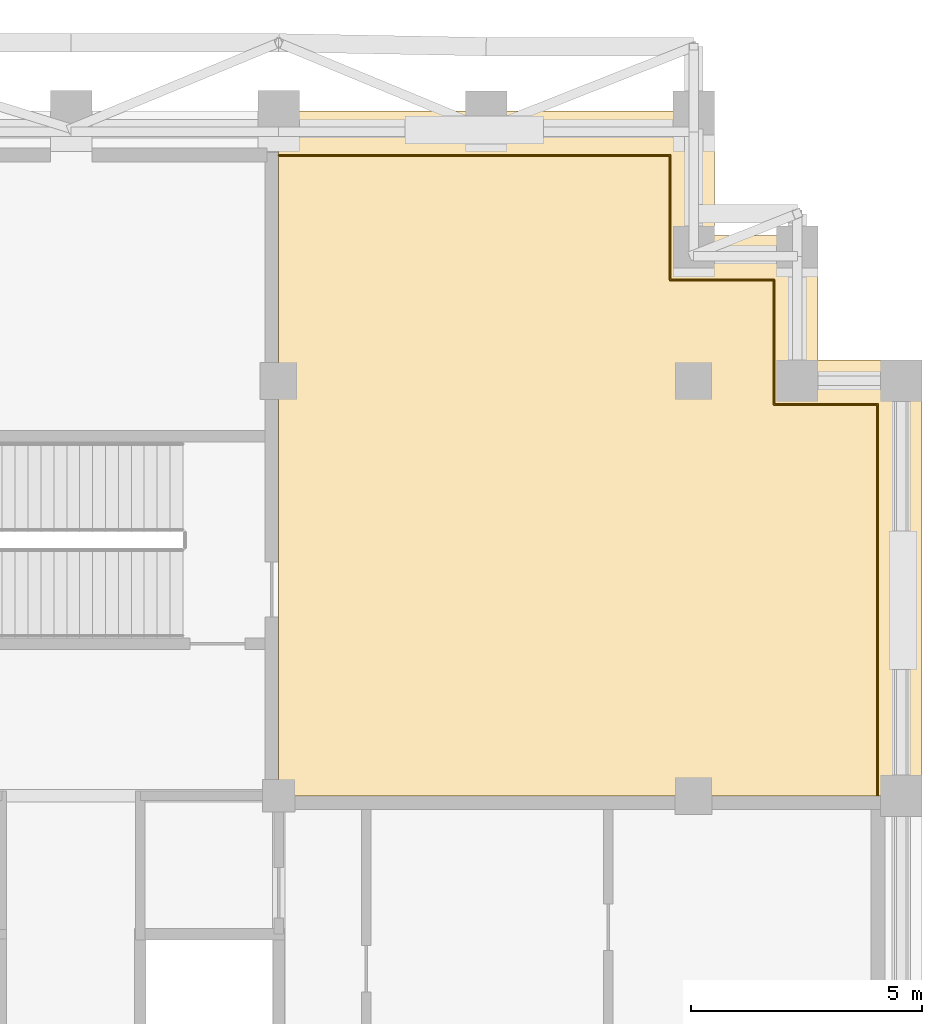
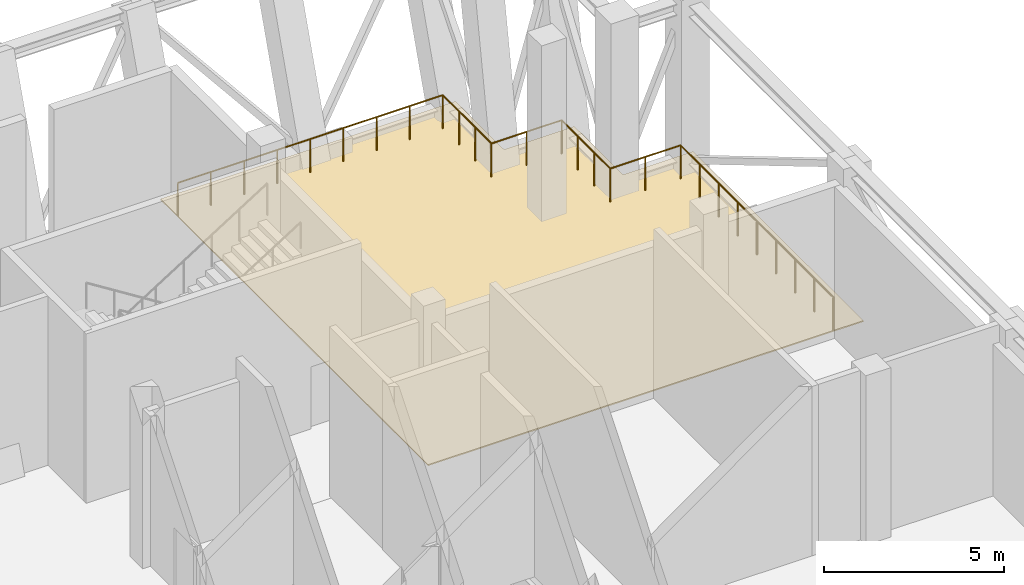
# One storey, part 9 of 9: 1 covering, 1 railing.
"""IFC4 building model written with IfcOpenShell, lengths in metres."""

from ifc_helpers import new_model, si_unit, direction, frame, origin, origin_2d, place, context, subcontext, project, spatial, polyline, circle, outline, extrude, material, layer, layer_set, type_object, element, save


model = new_model("IFC4")

# Units and contexts
model_context = context("Model", 3, precision=1e-05, world=origin(), true_north=direction((0.0, 1.0)))
body_context = subcontext(model_context, "Body", "Model", "MODEL_VIEW")
ifc_project = project(units=[si_unit("LENGTHUNIT", "METRE"), si_unit("AREAUNIT", "SQUARE_METRE"), si_unit("VOLUMEUNIT", "CUBIC_METRE"), si_unit("PLANEANGLEUNIT", "RADIAN"), si_unit("MASSUNIT", "GRAM", prefix="KILO")], contexts=[model_context])

# Site, building, storey
site_placement = place(None, origin())
site = spatial("IfcSite", under=ifc_project, at=site_placement, CompositionType="ELEMENT")
building_placement = place(site_placement, origin())
building = spatial("IfcBuilding", under=site, at=building_placement, Name="Corbelhall Arena Tower", CompositionType="ELEMENT")
storey_placement = place(building_placement, frame((0.0, 0.0, 320.0)))
storey = spatial("IfcBuildingStorey", under=building, at=storey_placement, Name="L70", CompositionType="ELEMENT", Elevation=320.0)

# Railing
ifc_material_1 = material(Name="Steel ASTM A500 Gr C", Category="steel")
railing_type = type_object("IfcRailingType", Name="EV-GD1 Terrace guard 1100", PredefinedType="GUARDRAIL", material=ifc_material_1)
railing_placement = place(storey_placement, frame((13.5, 22.889892578125, 0.0400390625)))
element("IfcRailing", 1, at=railing_placement, inside=storey, type_object=railing_type, Name="Guard", PredefinedType="GUARDRAIL", context=body_context, shape_type="SweptSolid", body=[
    extrude(circle(Radius=0.02392578125, at=origin_2d()), frame((0.0, 0.0, 1.1259765625), z_axis=(1.0, 0.0, 0.0), x_axis=(0.0, 1.0, 0.0)), (0.0, 0.0, 1.0), 8.489990234375),
    extrude(circle(Radius=0.02392578125, at=origin_2d()), frame((8.489990234375, 0.0, 1.1259765625), z_axis=(0.0, -1.0, 0.0), x_axis=(1.0, 0.0, 0.0)), (0.0, 0.0, 1.0), 2.699951171875),
    extrude(circle(Radius=0.02392578125, at=origin_2d()), frame((8.489990234375, -2.699951171875, 1.1259765625), z_axis=(1.0, 0.0, 0.0), x_axis=(0.0, 1.0, 0.0)), (0.0, 0.0, 1.0), 2.25),
    extrude(circle(Radius=0.02392578125, at=origin_2d()), frame((10.739990234375, -2.699951171875, 1.1259765625), z_axis=(0.0, -1.0, 0.0), x_axis=(1.0, 0.0, 0.0)), (0.0, 0.0, 1.0), 2.699951171875),
    extrude(circle(Radius=0.02392578125, at=origin_2d()), frame((10.739990234375, -5.39990234375, 1.1259765625), z_axis=(1.0, 0.0, 0.0), x_axis=(0.0, 1.0, 0.0)), (0.0, 0.0, 1.0), 2.25),
    extrude(circle(Radius=0.02392578125, at=origin_2d()), frame((12.989990234375, -5.39990234375, 1.1259765625), z_axis=(0.0, -1.0, 0.0), x_axis=(1.0, 0.0, 0.0)), (0.0, 0.0, 1.0), 8.489990234375),
    extrude(circle(Radius=0.02099609375, at=origin_2d()), origin(), (0.0, 0.0, 1.0), 1.101806640625),
    extrude(circle(Radius=0.02099609375, at=origin_2d()), frame((1.061279296875, 0.0, 0.0)), (0.0, 0.0, 1.0), 1.101806640625),
    extrude(circle(Radius=0.02099609375, at=origin_2d()), frame((2.12255859375, 0.0, 0.0)), (0.0, 0.0, 1.0), 1.101806640625),
    extrude(circle(Radius=0.02099609375, at=origin_2d()), frame((3.183837890625, 0.0, 0.0)), (0.0, 0.0, 1.0), 1.101806640625),
    extrude(circle(Radius=0.02099609375, at=origin_2d()), frame((4.2451171875, 0.0, 0.0)), (0.0, 0.0, 1.0), 1.101806640625),
    extrude(circle(Radius=0.02099609375, at=origin_2d()), frame((5.30615234375, 0.0, 0.0)), (0.0, 0.0, 1.0), 1.101806640625),
    extrude(circle(Radius=0.02099609375, at=origin_2d()), frame((6.367431640625, 0.0, 0.0)), (0.0, 0.0, 1.0), 1.101806640625),
    extrude(circle(Radius=0.02099609375, at=origin_2d()), frame((7.4287109375, 0.0, 0.0)), (0.0, 0.0, 1.0), 1.101806640625),
    extrude(circle(Radius=0.02099609375, at=origin_2d()), frame((8.489990234375, 0.0, 0.0)), (0.0, 0.0, 1.0), 1.101806640625),
    extrude(circle(Radius=0.02099609375, at=origin_2d()), frame((8.489990234375, -0.89990234375, 0.0)), (0.0, 0.0, 1.0), 1.101806640625),
    extrude(circle(Radius=0.02099609375, at=origin_2d()), frame((8.489990234375, -1.800048828125, 0.0)), (0.0, 0.0, 1.0), 1.101806640625),
    extrude(circle(Radius=0.02099609375, at=origin_2d()), frame((8.489990234375, -2.699951171875, 0.0)), (0.0, 0.0, 1.0), 1.101806640625),
    extrude(circle(Radius=0.02099609375, at=origin_2d()), frame((9.614990234375, -2.699951171875, 0.0)), (0.0, 0.0, 1.0), 1.101806640625),
    extrude(circle(Radius=0.02099609375, at=origin_2d()), frame((10.739990234375, -2.699951171875, 0.0)), (0.0, 0.0, 1.0), 1.101806640625),
    extrude(circle(Radius=0.02099609375, at=origin_2d()), frame((10.739990234375, -3.599853515625, 0.0)), (0.0, 0.0, 1.0), 1.101806640625),
    extrude(circle(Radius=0.02099609375, at=origin_2d()), frame((10.739990234375, -4.5, 0.0)), (0.0, 0.0, 1.0), 1.101806640625),
    extrude(circle(Radius=0.02099609375, at=origin_2d()), frame((10.739990234375, -5.39990234375, 0.0)), (0.0, 0.0, 1.0), 1.101806640625),
    extrude(circle(Radius=0.02099609375, at=origin_2d()), frame((11.864990234375, -5.39990234375, 0.0)), (0.0, 0.0, 1.0), 1.101806640625),
    extrude(circle(Radius=0.02099609375, at=origin_2d()), frame((12.989990234375, -5.39990234375, 0.0)), (0.0, 0.0, 1.0), 1.101806640625),
    extrude(circle(Radius=0.02099609375, at=origin_2d()), frame((12.989990234375, -6.461181640625, 0.0)), (0.0, 0.0, 1.0), 1.101806640625),
    extrude(circle(Radius=0.02099609375, at=origin_2d()), frame((12.989990234375, -7.5224609375, 0.0)), (0.0, 0.0, 1.0), 1.101806640625),
    extrude(circle(Radius=0.02099609375, at=origin_2d()), frame((12.989990234375, -8.583740234375, 0.0)), (0.0, 0.0, 1.0), 1.101806640625),
    extrude(circle(Radius=0.02099609375, at=origin_2d()), frame((12.989990234375, -9.64501953125, 0.0)), (0.0, 0.0, 1.0), 1.101806640625),
    extrude(circle(Radius=0.02099609375, at=origin_2d()), frame((12.989990234375, -10.7060546875, 0.0)), (0.0, 0.0, 1.0), 1.101806640625),
    extrude(circle(Radius=0.02099609375, at=origin_2d()), frame((12.989990234375, -11.767333984375, 0.0)), (0.0, 0.0, 1.0), 1.101806640625),
    extrude(circle(Radius=0.02099609375, at=origin_2d()), frame((12.989990234375, -12.82861328125, 0.0)), (0.0, 0.0, 1.0), 1.101806640625),
    extrude(circle(Radius=0.02099609375, at=origin_2d()), frame((12.989990234375, -13.889892578125, 0.0)), (0.0, 0.0, 1.0), 1.101806640625),
])

# Covering
ifc_material_2 = material(Name="Granite paving", Category="masonry")
ifc_layer = layer(ifc_material_2, 0.0400390625)
ifc_layer_set = layer_set([ifc_layer], Name="EV-PV1 Terrace paving 40")
covering_type = type_object("IfcCoveringType", Name="EV-PV1 Terrace paving 40", PredefinedType="FLOORING", material=ifc_layer_set)
covering_placement = place(storey_placement, origin())
element("IfcCovering", 2, at=covering_placement, inside=storey, type_object=covering_type, Name="Terrace paving", PredefinedType="FLOORING", context=body_context, shape_type="SweptSolid", body=[
    extrude(outline(polyline([(13.5, 9.0), (13.5, 23.85009765625), (22.949951171875, 23.85009765625), (22.949951171875, 21.14990234375), (25.199951171875, 21.14990234375), (25.199951171875, 18.449951171875), (27.449951171875, 18.449951171875), (27.449951171875, 9.0), (13.5, 9.0)])), origin(), (0.0, 0.0, 1.0), 0.0400390625),
])

save(model, "model.ifc")
